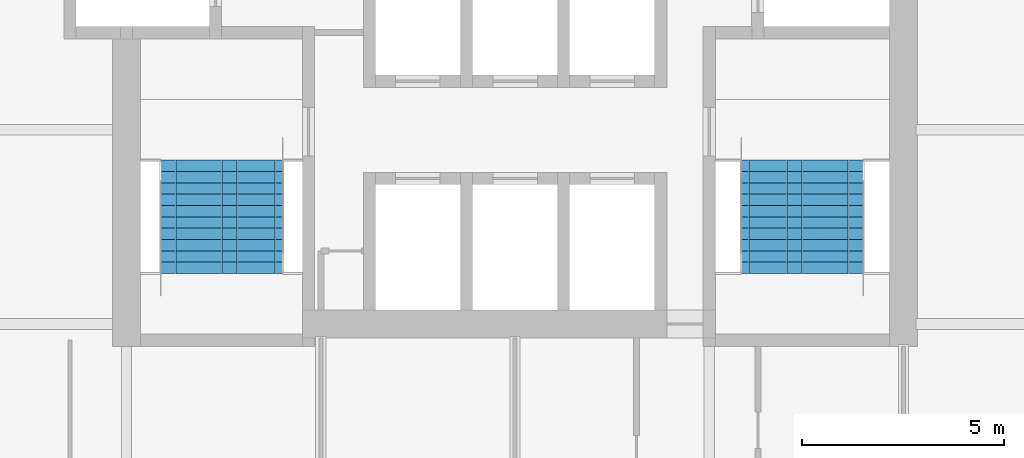
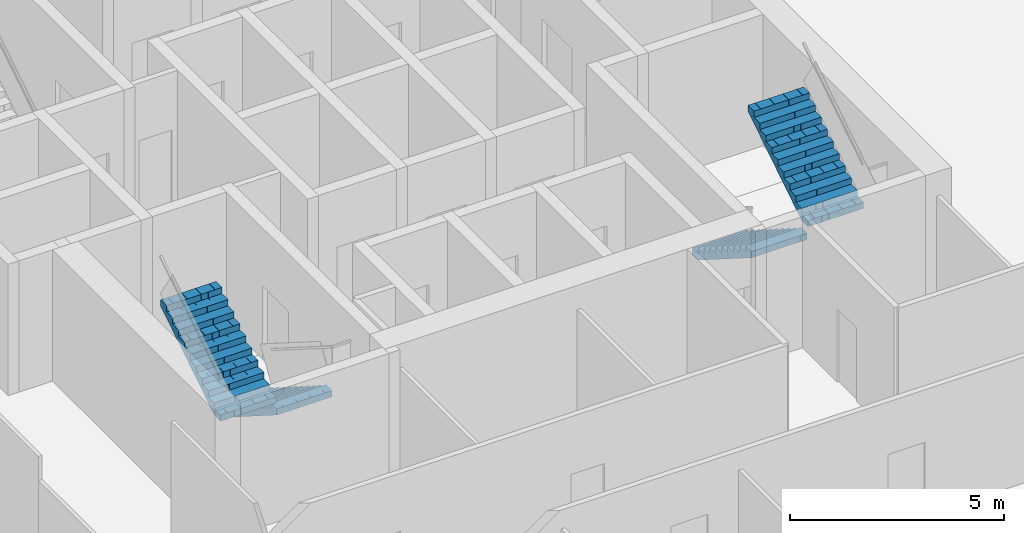
# One storey, part 13 of 16: 4 stair flights, 2 elements without a shape of their own.
"""IFC4 building model written with IfcOpenShell, lengths in metres."""

from ifc_helpers import new_model, si_unit, direction, frame, origin, place, context, subcontext, project, spatial, polyline, outline, extrude, material, type_object, element, aggregate, save


model = new_model("IFC4")

# Units and contexts
model_context = context("Model", 3, precision=1e-05, world=origin(), true_north=direction((0.0, 1.0)))
body_context = subcontext(model_context, "Body", "Model", "MODEL_VIEW")
ifc_project = project(units=[si_unit("LENGTHUNIT", "METRE"), si_unit("AREAUNIT", "SQUARE_METRE"), si_unit("VOLUMEUNIT", "CUBIC_METRE"), si_unit("PLANEANGLEUNIT", "RADIAN"), si_unit("MASSUNIT", "GRAM", prefix="KILO")], contexts=[model_context])

# Site, building, storey
site_placement = place(None, origin())
site = spatial("IfcSite", under=ifc_project, at=site_placement, CompositionType="ELEMENT")
building_placement = place(site_placement, origin())
building = spatial("IfcBuilding", under=site, at=building_placement, Name="Kolab Exchange Tower", CompositionType="ELEMENT")
storey_placement = place(building_placement, frame((0.0, 0.0, 209.0)))
storey = spatial("IfcBuildingStorey", under=building, at=storey_placement, Name="L45", CompositionType="ELEMENT", Elevation=209.0)

# Stair, stair flights
ifc_material = material(Name="Concrete C50/60", Category="concrete")
stair_type_1 = type_object("IfcStairType", Name="STAIR ST3 RISER 177.3", PredefinedType="HALF_TURN_STAIR", material=ifc_material)
stair_1_placement = place(storey_placement, origin())
stair_1 = element("IfcStair", 1, at=stair_1_placement, inside=storey, type_object=stair_type_1, Name="Stair 3", PredefinedType="HALF_TURN_STAIR")
stair_flight_type = type_object("IfcStairFlightType", Name="STAIR FLIGHT 1500 RISER 177.3", PredefinedType="STRAIGHT", material=ifc_material)
stair_flight_1_placement = place(storey_placement, frame((-6.489990234375, -5.550048828125, 0.0), z_axis=(0.0, 0.0, 1.0), x_axis=(0.0, -1.0, 0.0)))
stair_flight_1 = element("IfcStairFlight", 2, at=stair_flight_1_placement, type_object=stair_flight_type, Name="ST3 flight 1", NumberOfRisers=11, NumberOfTreads=10, PredefinedType="STRAIGHT", RiserHeight=0.177272727, TreadLength=0.28, context=body_context, shape_type="SweptSolid", body=[
    extrude(outline(polyline([(0.0, 0.0), (0.0, 0.17724609375), (0.280029296875, 0.17724609375), (0.280029296875, 0.3544921875), (0.56005859375, 0.3544921875), (0.56005859375, 0.53173828125), (0.840087890625, 0.53173828125), (0.840087890625, 0.708984375), (1.1201171875, 0.708984375), (1.1201171875, 0.886474609375), (1.39990234375, 0.886474609375), (1.39990234375, 1.063720703125), (1.679931640625, 1.063720703125), (1.679931640625, 1.240966796875), (1.9599609375, 1.240966796875), (1.9599609375, 1.418212890625), (2.239990234375, 1.418212890625), (2.239990234375, 1.595458984375), (2.52001953125, 1.595458984375), (2.52001953125, 1.772705078125), (2.800048828125, 1.772705078125), (2.800048828125, 1.949951171875), (2.800048828125, 1.59521484375), (0.2802734375, 0.0), (0.0, 0.0)])), frame((0.0, 0.75, 0.0), z_axis=(0.0, -1.0, 0.0), x_axis=(1.0, 0.0, 0.0)), (0.0, 0.0, 1.0), 0.185791015625),
    extrude(outline(polyline([(0.0, 0.0), (0.0, 0.17724609375), (0.280029296875, 0.17724609375), (0.280029296875, 0.3544921875), (0.56005859375, 0.3544921875), (0.56005859375, 0.53173828125), (0.840087890625, 0.53173828125), (0.840087890625, 0.708984375), (1.1201171875, 0.708984375), (1.1201171875, 0.886474609375), (1.39990234375, 0.886474609375), (1.39990234375, 1.063720703125), (1.679931640625, 1.063720703125), (1.679931640625, 1.240966796875), (1.9599609375, 1.240966796875), (1.9599609375, 1.418212890625), (2.239990234375, 1.418212890625), (2.239990234375, 1.595458984375), (2.52001953125, 1.595458984375), (2.52001953125, 1.772705078125), (2.800048828125, 1.772705078125), (2.800048828125, 1.949951171875), (2.800048828125, 1.59521484375), (0.2802734375, 0.0), (0.0, 0.0)])), frame((0.0, 0.562255859375, 0.0), z_axis=(0.0, -1.0, 0.0), x_axis=(1.0, 0.0, 0.0)), (0.0, 0.0, 1.0), 0.185791015625),
    extrude(outline(polyline([(0.0, 0.0), (0.0, 0.17724609375), (0.280029296875, 0.17724609375), (0.280029296875, 0.3544921875), (0.56005859375, 0.3544921875), (0.56005859375, 0.53173828125), (0.840087890625, 0.53173828125), (0.840087890625, 0.708984375), (1.1201171875, 0.708984375), (1.1201171875, 0.886474609375), (1.39990234375, 0.886474609375), (1.39990234375, 1.063720703125), (1.679931640625, 1.063720703125), (1.679931640625, 1.240966796875), (1.9599609375, 1.240966796875), (1.9599609375, 1.418212890625), (2.239990234375, 1.418212890625), (2.239990234375, 1.595458984375), (2.52001953125, 1.595458984375), (2.52001953125, 1.772705078125), (2.800048828125, 1.772705078125), (2.800048828125, 1.949951171875), (2.800048828125, 1.59521484375), (0.2802734375, 0.0), (0.0, 0.0)])), frame((0.0, 0.37451171875, 0.0), z_axis=(0.0, -1.0, 0.0), x_axis=(1.0, 0.0, 0.0)), (0.0, 0.0, 1.0), 0.185791015625),
    extrude(outline(polyline([(0.0, 0.0), (0.0, 0.17724609375), (0.280029296875, 0.17724609375), (0.280029296875, 0.3544921875), (0.56005859375, 0.3544921875), (0.56005859375, 0.53173828125), (0.840087890625, 0.53173828125), (0.840087890625, 0.708984375), (1.1201171875, 0.708984375), (1.1201171875, 0.886474609375), (1.39990234375, 0.886474609375), (1.39990234375, 1.063720703125), (1.679931640625, 1.063720703125), (1.679931640625, 1.240966796875), (1.9599609375, 1.240966796875), (1.9599609375, 1.418212890625), (2.239990234375, 1.418212890625), (2.239990234375, 1.595458984375), (2.52001953125, 1.595458984375), (2.52001953125, 1.772705078125), (2.800048828125, 1.772705078125), (2.800048828125, 1.949951171875), (2.800048828125, 1.59521484375), (0.2802734375, 0.0), (0.0, 0.0)])), frame((0.0, 0.186767578125, 0.0), z_axis=(0.0, -1.0, 0.0), x_axis=(1.0, 0.0, 0.0)), (0.0, 0.0, 1.0), 0.185791015625),
    extrude(outline(polyline([(0.0, 0.0), (0.0, 0.17724609375), (0.280029296875, 0.17724609375), (0.280029296875, 0.3544921875), (0.56005859375, 0.3544921875), (0.56005859375, 0.53173828125), (0.840087890625, 0.53173828125), (0.840087890625, 0.708984375), (1.1201171875, 0.708984375), (1.1201171875, 0.886474609375), (1.39990234375, 0.886474609375), (1.39990234375, 1.063720703125), (1.679931640625, 1.063720703125), (1.679931640625, 1.240966796875), (1.9599609375, 1.240966796875), (1.9599609375, 1.418212890625), (2.239990234375, 1.418212890625), (2.239990234375, 1.595458984375), (2.52001953125, 1.595458984375), (2.52001953125, 1.772705078125), (2.800048828125, 1.772705078125), (2.800048828125, 1.949951171875), (2.800048828125, 1.59521484375), (0.2802734375, 0.0), (0.0, 0.0)])), frame((0.0, -0.0009765625, 0.0), z_axis=(0.0, -1.0, 0.0), x_axis=(1.0, 0.0, 0.0)), (0.0, 0.0, 1.0), 0.185791015625),
    extrude(outline(polyline([(0.0, 0.0), (0.0, 0.17724609375), (0.280029296875, 0.17724609375), (0.280029296875, 0.3544921875), (0.56005859375, 0.3544921875), (0.56005859375, 0.53173828125), (0.840087890625, 0.53173828125), (0.840087890625, 0.708984375), (1.1201171875, 0.708984375), (1.1201171875, 0.886474609375), (1.39990234375, 0.886474609375), (1.39990234375, 1.063720703125), (1.679931640625, 1.063720703125), (1.679931640625, 1.240966796875), (1.9599609375, 1.240966796875), (1.9599609375, 1.418212890625), (2.239990234375, 1.418212890625), (2.239990234375, 1.595458984375), (2.52001953125, 1.595458984375), (2.52001953125, 1.772705078125), (2.800048828125, 1.772705078125), (2.800048828125, 1.949951171875), (2.800048828125, 1.59521484375), (0.2802734375, 0.0), (0.0, 0.0)])), frame((0.0, -0.188720703125, 0.0), z_axis=(0.0, -1.0, 0.0), x_axis=(1.0, 0.0, 0.0)), (0.0, 0.0, 1.0), 0.185791015625),
    extrude(outline(polyline([(0.0, 0.0), (0.0, 0.17724609375), (0.280029296875, 0.17724609375), (0.280029296875, 0.3544921875), (0.56005859375, 0.3544921875), (0.56005859375, 0.53173828125), (0.840087890625, 0.53173828125), (0.840087890625, 0.708984375), (1.1201171875, 0.708984375), (1.1201171875, 0.886474609375), (1.39990234375, 0.886474609375), (1.39990234375, 1.063720703125), (1.679931640625, 1.063720703125), (1.679931640625, 1.240966796875), (1.9599609375, 1.240966796875), (1.9599609375, 1.418212890625), (2.239990234375, 1.418212890625), (2.239990234375, 1.595458984375), (2.52001953125, 1.595458984375), (2.52001953125, 1.772705078125), (2.800048828125, 1.772705078125), (2.800048828125, 1.949951171875), (2.800048828125, 1.59521484375), (0.2802734375, 0.0), (0.0, 0.0)])), frame((0.0, -0.37646484375, 0.0), z_axis=(0.0, -1.0, 0.0), x_axis=(1.0, 0.0, 0.0)), (0.0, 0.0, 1.0), 0.185791015625),
    extrude(outline(polyline([(0.0, 0.0), (0.0, 0.17724609375), (0.280029296875, 0.17724609375), (0.280029296875, 0.3544921875), (0.56005859375, 0.3544921875), (0.56005859375, 0.53173828125), (0.840087890625, 0.53173828125), (0.840087890625, 0.708984375), (1.1201171875, 0.708984375), (1.1201171875, 0.886474609375), (1.39990234375, 0.886474609375), (1.39990234375, 1.063720703125), (1.679931640625, 1.063720703125), (1.679931640625, 1.240966796875), (1.9599609375, 1.240966796875), (1.9599609375, 1.418212890625), (2.239990234375, 1.418212890625), (2.239990234375, 1.595458984375), (2.52001953125, 1.595458984375), (2.52001953125, 1.772705078125), (2.800048828125, 1.772705078125), (2.800048828125, 1.949951171875), (2.800048828125, 1.59521484375), (0.2802734375, 0.0), (0.0, 0.0)])), frame((0.0, -0.564208984375, 0.0), z_axis=(0.0, -1.0, 0.0), x_axis=(1.0, 0.0, 0.0)), (0.0, 0.0, 1.0), 0.185791015625),
])
stair_flight_2_placement = place(storey_placement, frame((-8.010009765625, -8.35009765625, 1.949951171875), z_axis=(0.0, 0.0, 1.0), x_axis=(0.0, 1.0, 0.0)))
stair_flight_2 = element("IfcStairFlight", 3, at=stair_flight_2_placement, type_object=stair_flight_type, Name="ST3 flight 2", NumberOfRisers=11, NumberOfTreads=10, PredefinedType="STRAIGHT", RiserHeight=0.177272727, TreadLength=0.28, context=body_context, shape_type="SweptSolid", body=[
    extrude(outline(polyline([(0.0, 0.0), (0.0, 0.17724609375), (0.280029296875, 0.17724609375), (0.280029296875, 0.3544921875), (0.56005859375, 0.3544921875), (0.56005859375, 0.53173828125), (0.840087890625, 0.53173828125), (0.840087890625, 0.708984375), (1.1201171875, 0.708984375), (1.1201171875, 0.886474609375), (1.39990234375, 0.886474609375), (1.39990234375, 1.063720703125), (1.679931640625, 1.063720703125), (1.679931640625, 1.240966796875), (1.9599609375, 1.240966796875), (1.9599609375, 1.418212890625), (2.239990234375, 1.418212890625), (2.239990234375, 1.595458984375), (2.52001953125, 1.595458984375), (2.52001953125, 1.772705078125), (2.800048828125, 1.772705078125), (2.800048828125, 1.949951171875), (2.800048828125, 1.59521484375), (0.2802734375, 0.0), (0.0, 0.0)])), frame((0.0, 0.75, 0.0), z_axis=(0.0, -1.0, 0.0), x_axis=(1.0, 0.0, 0.0)), (0.0, 0.0, 1.0), 0.185791015625),
    extrude(outline(polyline([(0.0, 0.0), (0.0, 0.17724609375), (0.280029296875, 0.17724609375), (0.280029296875, 0.3544921875), (0.56005859375, 0.3544921875), (0.56005859375, 0.53173828125), (0.840087890625, 0.53173828125), (0.840087890625, 0.708984375), (1.1201171875, 0.708984375), (1.1201171875, 0.886474609375), (1.39990234375, 0.886474609375), (1.39990234375, 1.063720703125), (1.679931640625, 1.063720703125), (1.679931640625, 1.240966796875), (1.9599609375, 1.240966796875), (1.9599609375, 1.418212890625), (2.239990234375, 1.418212890625), (2.239990234375, 1.595458984375), (2.52001953125, 1.595458984375), (2.52001953125, 1.772705078125), (2.800048828125, 1.772705078125), (2.800048828125, 1.949951171875), (2.800048828125, 1.59521484375), (0.2802734375, 0.0), (0.0, 0.0)])), frame((0.0, 0.562255859375, 0.0), z_axis=(0.0, -1.0, 0.0), x_axis=(1.0, 0.0, 0.0)), (0.0, 0.0, 1.0), 0.185791015625),
    extrude(outline(polyline([(0.0, 0.0), (0.0, 0.17724609375), (0.280029296875, 0.17724609375), (0.280029296875, 0.3544921875), (0.56005859375, 0.3544921875), (0.56005859375, 0.53173828125), (0.840087890625, 0.53173828125), (0.840087890625, 0.708984375), (1.1201171875, 0.708984375), (1.1201171875, 0.886474609375), (1.39990234375, 0.886474609375), (1.39990234375, 1.063720703125), (1.679931640625, 1.063720703125), (1.679931640625, 1.240966796875), (1.9599609375, 1.240966796875), (1.9599609375, 1.418212890625), (2.239990234375, 1.418212890625), (2.239990234375, 1.595458984375), (2.52001953125, 1.595458984375), (2.52001953125, 1.772705078125), (2.800048828125, 1.772705078125), (2.800048828125, 1.949951171875), (2.800048828125, 1.59521484375), (0.2802734375, 0.0), (0.0, 0.0)])), frame((0.0, 0.37451171875, 0.0), z_axis=(0.0, -1.0, 0.0), x_axis=(1.0, 0.0, 0.0)), (0.0, 0.0, 1.0), 0.185791015625),
    extrude(outline(polyline([(0.0, 0.0), (0.0, 0.17724609375), (0.280029296875, 0.17724609375), (0.280029296875, 0.3544921875), (0.56005859375, 0.3544921875), (0.56005859375, 0.53173828125), (0.840087890625, 0.53173828125), (0.840087890625, 0.708984375), (1.1201171875, 0.708984375), (1.1201171875, 0.886474609375), (1.39990234375, 0.886474609375), (1.39990234375, 1.063720703125), (1.679931640625, 1.063720703125), (1.679931640625, 1.240966796875), (1.9599609375, 1.240966796875), (1.9599609375, 1.418212890625), (2.239990234375, 1.418212890625), (2.239990234375, 1.595458984375), (2.52001953125, 1.595458984375), (2.52001953125, 1.772705078125), (2.800048828125, 1.772705078125), (2.800048828125, 1.949951171875), (2.800048828125, 1.59521484375), (0.2802734375, 0.0), (0.0, 0.0)])), frame((0.0, 0.186767578125, 0.0), z_axis=(0.0, -1.0, 0.0), x_axis=(1.0, 0.0, 0.0)), (0.0, 0.0, 1.0), 0.185791015625),
    extrude(outline(polyline([(0.0, 0.0), (0.0, 0.17724609375), (0.280029296875, 0.17724609375), (0.280029296875, 0.3544921875), (0.56005859375, 0.3544921875), (0.56005859375, 0.53173828125), (0.840087890625, 0.53173828125), (0.840087890625, 0.708984375), (1.1201171875, 0.708984375), (1.1201171875, 0.886474609375), (1.39990234375, 0.886474609375), (1.39990234375, 1.063720703125), (1.679931640625, 1.063720703125), (1.679931640625, 1.240966796875), (1.9599609375, 1.240966796875), (1.9599609375, 1.418212890625), (2.239990234375, 1.418212890625), (2.239990234375, 1.595458984375), (2.52001953125, 1.595458984375), (2.52001953125, 1.772705078125), (2.800048828125, 1.772705078125), (2.800048828125, 1.949951171875), (2.800048828125, 1.59521484375), (0.2802734375, 0.0), (0.0, 0.0)])), frame((0.0, -0.0009765625, 0.0), z_axis=(0.0, -1.0, 0.0), x_axis=(1.0, 0.0, 0.0)), (0.0, 0.0, 1.0), 0.185791015625),
    extrude(outline(polyline([(0.0, 0.0), (0.0, 0.17724609375), (0.280029296875, 0.17724609375), (0.280029296875, 0.3544921875), (0.56005859375, 0.3544921875), (0.56005859375, 0.53173828125), (0.840087890625, 0.53173828125), (0.840087890625, 0.708984375), (1.1201171875, 0.708984375), (1.1201171875, 0.886474609375), (1.39990234375, 0.886474609375), (1.39990234375, 1.063720703125), (1.679931640625, 1.063720703125), (1.679931640625, 1.240966796875), (1.9599609375, 1.240966796875), (1.9599609375, 1.418212890625), (2.239990234375, 1.418212890625), (2.239990234375, 1.595458984375), (2.52001953125, 1.595458984375), (2.52001953125, 1.772705078125), (2.800048828125, 1.772705078125), (2.800048828125, 1.949951171875), (2.800048828125, 1.59521484375), (0.2802734375, 0.0), (0.0, 0.0)])), frame((0.0, -0.188720703125, 0.0), z_axis=(0.0, -1.0, 0.0), x_axis=(1.0, 0.0, 0.0)), (0.0, 0.0, 1.0), 0.185791015625),
    extrude(outline(polyline([(0.0, 0.0), (0.0, 0.17724609375), (0.280029296875, 0.17724609375), (0.280029296875, 0.3544921875), (0.56005859375, 0.3544921875), (0.56005859375, 0.53173828125), (0.840087890625, 0.53173828125), (0.840087890625, 0.708984375), (1.1201171875, 0.708984375), (1.1201171875, 0.886474609375), (1.39990234375, 0.886474609375), (1.39990234375, 1.063720703125), (1.679931640625, 1.063720703125), (1.679931640625, 1.240966796875), (1.9599609375, 1.240966796875), (1.9599609375, 1.418212890625), (2.239990234375, 1.418212890625), (2.239990234375, 1.595458984375), (2.52001953125, 1.595458984375), (2.52001953125, 1.772705078125), (2.800048828125, 1.772705078125), (2.800048828125, 1.949951171875), (2.800048828125, 1.59521484375), (0.2802734375, 0.0), (0.0, 0.0)])), frame((0.0, -0.37646484375, 0.0), z_axis=(0.0, -1.0, 0.0), x_axis=(1.0, 0.0, 0.0)), (0.0, 0.0, 1.0), 0.185791015625),
    extrude(outline(polyline([(0.0, 0.0), (0.0, 0.17724609375), (0.280029296875, 0.17724609375), (0.280029296875, 0.3544921875), (0.56005859375, 0.3544921875), (0.56005859375, 0.53173828125), (0.840087890625, 0.53173828125), (0.840087890625, 0.708984375), (1.1201171875, 0.708984375), (1.1201171875, 0.886474609375), (1.39990234375, 0.886474609375), (1.39990234375, 1.063720703125), (1.679931640625, 1.063720703125), (1.679931640625, 1.240966796875), (1.9599609375, 1.240966796875), (1.9599609375, 1.418212890625), (2.239990234375, 1.418212890625), (2.239990234375, 1.595458984375), (2.52001953125, 1.595458984375), (2.52001953125, 1.772705078125), (2.800048828125, 1.772705078125), (2.800048828125, 1.949951171875), (2.800048828125, 1.59521484375), (0.2802734375, 0.0), (0.0, 0.0)])), frame((0.0, -0.564208984375, 0.0), z_axis=(0.0, -1.0, 0.0), x_axis=(1.0, 0.0, 0.0)), (0.0, 0.0, 1.0), 0.185791015625),
])
aggregate(stair_1, [stair_flight_1, stair_flight_2])

stair_type_2 = type_object("IfcStairType", Name="STAIR ST2 RISER 177.3", PredefinedType="HALF_TURN_STAIR", material=ifc_material)
stair_2_placement = place(storey_placement, origin())
stair_2 = element("IfcStair", 4, at=stair_2_placement, inside=storey, type_object=stair_type_2, Name="Stair 2", PredefinedType="HALF_TURN_STAIR")
stair_flight_3_placement = place(storey_placement, frame((6.340087890625, -5.550048828125, 0.0), z_axis=(0.0, 0.0, 1.0), x_axis=(0.0, -1.0, 0.0)))
stair_flight_3 = element("IfcStairFlight", 5, at=stair_flight_3_placement, type_object=stair_flight_type, Name="ST2 flight 1", NumberOfRisers=11, NumberOfTreads=10, PredefinedType="STRAIGHT", RiserHeight=0.177272727, TreadLength=0.28, context=body_context, shape_type="SweptSolid", body=[
    extrude(outline(polyline([(0.0, 0.0), (0.0, 0.17724609375), (0.280029296875, 0.17724609375), (0.280029296875, 0.3544921875), (0.56005859375, 0.3544921875), (0.56005859375, 0.53173828125), (0.840087890625, 0.53173828125), (0.840087890625, 0.708984375), (1.1201171875, 0.708984375), (1.1201171875, 0.886474609375), (1.39990234375, 0.886474609375), (1.39990234375, 1.063720703125), (1.679931640625, 1.063720703125), (1.679931640625, 1.240966796875), (1.9599609375, 1.240966796875), (1.9599609375, 1.418212890625), (2.239990234375, 1.418212890625), (2.239990234375, 1.595458984375), (2.52001953125, 1.595458984375), (2.52001953125, 1.772705078125), (2.800048828125, 1.772705078125), (2.800048828125, 1.949951171875), (2.800048828125, 1.59521484375), (0.2802734375, 0.0), (0.0, 0.0)])), frame((0.0, 0.75, 0.0), z_axis=(0.0, -1.0, 0.0), x_axis=(1.0, 0.0, 0.0)), (0.0, 0.0, 1.0), 0.185791015625),
    extrude(outline(polyline([(0.0, 0.0), (0.0, 0.17724609375), (0.280029296875, 0.17724609375), (0.280029296875, 0.3544921875), (0.56005859375, 0.3544921875), (0.56005859375, 0.53173828125), (0.840087890625, 0.53173828125), (0.840087890625, 0.708984375), (1.1201171875, 0.708984375), (1.1201171875, 0.886474609375), (1.39990234375, 0.886474609375), (1.39990234375, 1.063720703125), (1.679931640625, 1.063720703125), (1.679931640625, 1.240966796875), (1.9599609375, 1.240966796875), (1.9599609375, 1.418212890625), (2.239990234375, 1.418212890625), (2.239990234375, 1.595458984375), (2.52001953125, 1.595458984375), (2.52001953125, 1.772705078125), (2.800048828125, 1.772705078125), (2.800048828125, 1.949951171875), (2.800048828125, 1.59521484375), (0.2802734375, 0.0), (0.0, 0.0)])), frame((0.0, 0.562255859375, 0.0), z_axis=(0.0, -1.0, 0.0), x_axis=(1.0, 0.0, 0.0)), (0.0, 0.0, 1.0), 0.185791015625),
    extrude(outline(polyline([(0.0, 0.0), (0.0, 0.17724609375), (0.280029296875, 0.17724609375), (0.280029296875, 0.3544921875), (0.56005859375, 0.3544921875), (0.56005859375, 0.53173828125), (0.840087890625, 0.53173828125), (0.840087890625, 0.708984375), (1.1201171875, 0.708984375), (1.1201171875, 0.886474609375), (1.39990234375, 0.886474609375), (1.39990234375, 1.063720703125), (1.679931640625, 1.063720703125), (1.679931640625, 1.240966796875), (1.9599609375, 1.240966796875), (1.9599609375, 1.418212890625), (2.239990234375, 1.418212890625), (2.239990234375, 1.595458984375), (2.52001953125, 1.595458984375), (2.52001953125, 1.772705078125), (2.800048828125, 1.772705078125), (2.800048828125, 1.949951171875), (2.800048828125, 1.59521484375), (0.2802734375, 0.0), (0.0, 0.0)])), frame((0.0, 0.37451171875, 0.0), z_axis=(0.0, -1.0, 0.0), x_axis=(1.0, 0.0, 0.0)), (0.0, 0.0, 1.0), 0.185791015625),
    extrude(outline(polyline([(0.0, 0.0), (0.0, 0.17724609375), (0.280029296875, 0.17724609375), (0.280029296875, 0.3544921875), (0.56005859375, 0.3544921875), (0.56005859375, 0.53173828125), (0.840087890625, 0.53173828125), (0.840087890625, 0.708984375), (1.1201171875, 0.708984375), (1.1201171875, 0.886474609375), (1.39990234375, 0.886474609375), (1.39990234375, 1.063720703125), (1.679931640625, 1.063720703125), (1.679931640625, 1.240966796875), (1.9599609375, 1.240966796875), (1.9599609375, 1.418212890625), (2.239990234375, 1.418212890625), (2.239990234375, 1.595458984375), (2.52001953125, 1.595458984375), (2.52001953125, 1.772705078125), (2.800048828125, 1.772705078125), (2.800048828125, 1.949951171875), (2.800048828125, 1.59521484375), (0.2802734375, 0.0), (0.0, 0.0)])), frame((0.0, 0.186767578125, 0.0), z_axis=(0.0, -1.0, 0.0), x_axis=(1.0, 0.0, 0.0)), (0.0, 0.0, 1.0), 0.185791015625),
    extrude(outline(polyline([(0.0, 0.0), (0.0, 0.17724609375), (0.280029296875, 0.17724609375), (0.280029296875, 0.3544921875), (0.56005859375, 0.3544921875), (0.56005859375, 0.53173828125), (0.840087890625, 0.53173828125), (0.840087890625, 0.708984375), (1.1201171875, 0.708984375), (1.1201171875, 0.886474609375), (1.39990234375, 0.886474609375), (1.39990234375, 1.063720703125), (1.679931640625, 1.063720703125), (1.679931640625, 1.240966796875), (1.9599609375, 1.240966796875), (1.9599609375, 1.418212890625), (2.239990234375, 1.418212890625), (2.239990234375, 1.595458984375), (2.52001953125, 1.595458984375), (2.52001953125, 1.772705078125), (2.800048828125, 1.772705078125), (2.800048828125, 1.949951171875), (2.800048828125, 1.59521484375), (0.2802734375, 0.0), (0.0, 0.0)])), frame((0.0, -0.0009765625, 0.0), z_axis=(0.0, -1.0, 0.0), x_axis=(1.0, 0.0, 0.0)), (0.0, 0.0, 1.0), 0.185791015625),
    extrude(outline(polyline([(0.0, 0.0), (0.0, 0.17724609375), (0.280029296875, 0.17724609375), (0.280029296875, 0.3544921875), (0.56005859375, 0.3544921875), (0.56005859375, 0.53173828125), (0.840087890625, 0.53173828125), (0.840087890625, 0.708984375), (1.1201171875, 0.708984375), (1.1201171875, 0.886474609375), (1.39990234375, 0.886474609375), (1.39990234375, 1.063720703125), (1.679931640625, 1.063720703125), (1.679931640625, 1.240966796875), (1.9599609375, 1.240966796875), (1.9599609375, 1.418212890625), (2.239990234375, 1.418212890625), (2.239990234375, 1.595458984375), (2.52001953125, 1.595458984375), (2.52001953125, 1.772705078125), (2.800048828125, 1.772705078125), (2.800048828125, 1.949951171875), (2.800048828125, 1.59521484375), (0.2802734375, 0.0), (0.0, 0.0)])), frame((0.0, -0.188720703125, 0.0), z_axis=(0.0, -1.0, 0.0), x_axis=(1.0, 0.0, 0.0)), (0.0, 0.0, 1.0), 0.185791015625),
    extrude(outline(polyline([(0.0, 0.0), (0.0, 0.17724609375), (0.280029296875, 0.17724609375), (0.280029296875, 0.3544921875), (0.56005859375, 0.3544921875), (0.56005859375, 0.53173828125), (0.840087890625, 0.53173828125), (0.840087890625, 0.708984375), (1.1201171875, 0.708984375), (1.1201171875, 0.886474609375), (1.39990234375, 0.886474609375), (1.39990234375, 1.063720703125), (1.679931640625, 1.063720703125), (1.679931640625, 1.240966796875), (1.9599609375, 1.240966796875), (1.9599609375, 1.418212890625), (2.239990234375, 1.418212890625), (2.239990234375, 1.595458984375), (2.52001953125, 1.595458984375), (2.52001953125, 1.772705078125), (2.800048828125, 1.772705078125), (2.800048828125, 1.949951171875), (2.800048828125, 1.59521484375), (0.2802734375, 0.0), (0.0, 0.0)])), frame((0.0, -0.37646484375, 0.0), z_axis=(0.0, -1.0, 0.0), x_axis=(1.0, 0.0, 0.0)), (0.0, 0.0, 1.0), 0.185791015625),
    extrude(outline(polyline([(0.0, 0.0), (0.0, 0.17724609375), (0.280029296875, 0.17724609375), (0.280029296875, 0.3544921875), (0.56005859375, 0.3544921875), (0.56005859375, 0.53173828125), (0.840087890625, 0.53173828125), (0.840087890625, 0.708984375), (1.1201171875, 0.708984375), (1.1201171875, 0.886474609375), (1.39990234375, 0.886474609375), (1.39990234375, 1.063720703125), (1.679931640625, 1.063720703125), (1.679931640625, 1.240966796875), (1.9599609375, 1.240966796875), (1.9599609375, 1.418212890625), (2.239990234375, 1.418212890625), (2.239990234375, 1.595458984375), (2.52001953125, 1.595458984375), (2.52001953125, 1.772705078125), (2.800048828125, 1.772705078125), (2.800048828125, 1.949951171875), (2.800048828125, 1.59521484375), (0.2802734375, 0.0), (0.0, 0.0)])), frame((0.0, -0.564208984375, 0.0), z_axis=(0.0, -1.0, 0.0), x_axis=(1.0, 0.0, 0.0)), (0.0, 0.0, 1.0), 0.185791015625),
])
stair_flight_4_placement = place(storey_placement, frame((7.860107421875, -8.35009765625, 1.949951171875), z_axis=(0.0, 0.0, 1.0), x_axis=(0.0, 1.0, 0.0)))
stair_flight_4 = element("IfcStairFlight", 6, at=stair_flight_4_placement, type_object=stair_flight_type, Name="ST2 flight 2", NumberOfRisers=11, NumberOfTreads=10, PredefinedType="STRAIGHT", RiserHeight=0.177272727, TreadLength=0.28, context=body_context, shape_type="SweptSolid", body=[
    extrude(outline(polyline([(0.0, 0.0), (0.0, 0.17724609375), (0.280029296875, 0.17724609375), (0.280029296875, 0.3544921875), (0.56005859375, 0.3544921875), (0.56005859375, 0.53173828125), (0.840087890625, 0.53173828125), (0.840087890625, 0.708984375), (1.1201171875, 0.708984375), (1.1201171875, 0.886474609375), (1.39990234375, 0.886474609375), (1.39990234375, 1.063720703125), (1.679931640625, 1.063720703125), (1.679931640625, 1.240966796875), (1.9599609375, 1.240966796875), (1.9599609375, 1.418212890625), (2.239990234375, 1.418212890625), (2.239990234375, 1.595458984375), (2.52001953125, 1.595458984375), (2.52001953125, 1.772705078125), (2.800048828125, 1.772705078125), (2.800048828125, 1.949951171875), (2.800048828125, 1.59521484375), (0.2802734375, 0.0), (0.0, 0.0)])), frame((0.0, 0.75, 0.0), z_axis=(0.0, -1.0, 0.0), x_axis=(1.0, 0.0, 0.0)), (0.0, 0.0, 1.0), 0.185791015625),
    extrude(outline(polyline([(0.0, 0.0), (0.0, 0.17724609375), (0.280029296875, 0.17724609375), (0.280029296875, 0.3544921875), (0.56005859375, 0.3544921875), (0.56005859375, 0.53173828125), (0.840087890625, 0.53173828125), (0.840087890625, 0.708984375), (1.1201171875, 0.708984375), (1.1201171875, 0.886474609375), (1.39990234375, 0.886474609375), (1.39990234375, 1.063720703125), (1.679931640625, 1.063720703125), (1.679931640625, 1.240966796875), (1.9599609375, 1.240966796875), (1.9599609375, 1.418212890625), (2.239990234375, 1.418212890625), (2.239990234375, 1.595458984375), (2.52001953125, 1.595458984375), (2.52001953125, 1.772705078125), (2.800048828125, 1.772705078125), (2.800048828125, 1.949951171875), (2.800048828125, 1.59521484375), (0.2802734375, 0.0), (0.0, 0.0)])), frame((0.0, 0.562255859375, 0.0), z_axis=(0.0, -1.0, 0.0), x_axis=(1.0, 0.0, 0.0)), (0.0, 0.0, 1.0), 0.185791015625),
    extrude(outline(polyline([(0.0, 0.0), (0.0, 0.17724609375), (0.280029296875, 0.17724609375), (0.280029296875, 0.3544921875), (0.56005859375, 0.3544921875), (0.56005859375, 0.53173828125), (0.840087890625, 0.53173828125), (0.840087890625, 0.708984375), (1.1201171875, 0.708984375), (1.1201171875, 0.886474609375), (1.39990234375, 0.886474609375), (1.39990234375, 1.063720703125), (1.679931640625, 1.063720703125), (1.679931640625, 1.240966796875), (1.9599609375, 1.240966796875), (1.9599609375, 1.418212890625), (2.239990234375, 1.418212890625), (2.239990234375, 1.595458984375), (2.52001953125, 1.595458984375), (2.52001953125, 1.772705078125), (2.800048828125, 1.772705078125), (2.800048828125, 1.949951171875), (2.800048828125, 1.59521484375), (0.2802734375, 0.0), (0.0, 0.0)])), frame((0.0, 0.37451171875, 0.0), z_axis=(0.0, -1.0, 0.0), x_axis=(1.0, 0.0, 0.0)), (0.0, 0.0, 1.0), 0.185791015625),
    extrude(outline(polyline([(0.0, 0.0), (0.0, 0.17724609375), (0.280029296875, 0.17724609375), (0.280029296875, 0.3544921875), (0.56005859375, 0.3544921875), (0.56005859375, 0.53173828125), (0.840087890625, 0.53173828125), (0.840087890625, 0.708984375), (1.1201171875, 0.708984375), (1.1201171875, 0.886474609375), (1.39990234375, 0.886474609375), (1.39990234375, 1.063720703125), (1.679931640625, 1.063720703125), (1.679931640625, 1.240966796875), (1.9599609375, 1.240966796875), (1.9599609375, 1.418212890625), (2.239990234375, 1.418212890625), (2.239990234375, 1.595458984375), (2.52001953125, 1.595458984375), (2.52001953125, 1.772705078125), (2.800048828125, 1.772705078125), (2.800048828125, 1.949951171875), (2.800048828125, 1.59521484375), (0.2802734375, 0.0), (0.0, 0.0)])), frame((0.0, 0.186767578125, 0.0), z_axis=(0.0, -1.0, 0.0), x_axis=(1.0, 0.0, 0.0)), (0.0, 0.0, 1.0), 0.185791015625),
    extrude(outline(polyline([(0.0, 0.0), (0.0, 0.17724609375), (0.280029296875, 0.17724609375), (0.280029296875, 0.3544921875), (0.56005859375, 0.3544921875), (0.56005859375, 0.53173828125), (0.840087890625, 0.53173828125), (0.840087890625, 0.708984375), (1.1201171875, 0.708984375), (1.1201171875, 0.886474609375), (1.39990234375, 0.886474609375), (1.39990234375, 1.063720703125), (1.679931640625, 1.063720703125), (1.679931640625, 1.240966796875), (1.9599609375, 1.240966796875), (1.9599609375, 1.418212890625), (2.239990234375, 1.418212890625), (2.239990234375, 1.595458984375), (2.52001953125, 1.595458984375), (2.52001953125, 1.772705078125), (2.800048828125, 1.772705078125), (2.800048828125, 1.949951171875), (2.800048828125, 1.59521484375), (0.2802734375, 0.0), (0.0, 0.0)])), frame((0.0, -0.0009765625, 0.0), z_axis=(0.0, -1.0, 0.0), x_axis=(1.0, 0.0, 0.0)), (0.0, 0.0, 1.0), 0.185791015625),
    extrude(outline(polyline([(0.0, 0.0), (0.0, 0.17724609375), (0.280029296875, 0.17724609375), (0.280029296875, 0.3544921875), (0.56005859375, 0.3544921875), (0.56005859375, 0.53173828125), (0.840087890625, 0.53173828125), (0.840087890625, 0.708984375), (1.1201171875, 0.708984375), (1.1201171875, 0.886474609375), (1.39990234375, 0.886474609375), (1.39990234375, 1.063720703125), (1.679931640625, 1.063720703125), (1.679931640625, 1.240966796875), (1.9599609375, 1.240966796875), (1.9599609375, 1.418212890625), (2.239990234375, 1.418212890625), (2.239990234375, 1.595458984375), (2.52001953125, 1.595458984375), (2.52001953125, 1.772705078125), (2.800048828125, 1.772705078125), (2.800048828125, 1.949951171875), (2.800048828125, 1.59521484375), (0.2802734375, 0.0), (0.0, 0.0)])), frame((0.0, -0.188720703125, 0.0), z_axis=(0.0, -1.0, 0.0), x_axis=(1.0, 0.0, 0.0)), (0.0, 0.0, 1.0), 0.185791015625),
    extrude(outline(polyline([(0.0, 0.0), (0.0, 0.17724609375), (0.280029296875, 0.17724609375), (0.280029296875, 0.3544921875), (0.56005859375, 0.3544921875), (0.56005859375, 0.53173828125), (0.840087890625, 0.53173828125), (0.840087890625, 0.708984375), (1.1201171875, 0.708984375), (1.1201171875, 0.886474609375), (1.39990234375, 0.886474609375), (1.39990234375, 1.063720703125), (1.679931640625, 1.063720703125), (1.679931640625, 1.240966796875), (1.9599609375, 1.240966796875), (1.9599609375, 1.418212890625), (2.239990234375, 1.418212890625), (2.239990234375, 1.595458984375), (2.52001953125, 1.595458984375), (2.52001953125, 1.772705078125), (2.800048828125, 1.772705078125), (2.800048828125, 1.949951171875), (2.800048828125, 1.59521484375), (0.2802734375, 0.0), (0.0, 0.0)])), frame((0.0, -0.37646484375, 0.0), z_axis=(0.0, -1.0, 0.0), x_axis=(1.0, 0.0, 0.0)), (0.0, 0.0, 1.0), 0.185791015625),
    extrude(outline(polyline([(0.0, 0.0), (0.0, 0.17724609375), (0.280029296875, 0.17724609375), (0.280029296875, 0.3544921875), (0.56005859375, 0.3544921875), (0.56005859375, 0.53173828125), (0.840087890625, 0.53173828125), (0.840087890625, 0.708984375), (1.1201171875, 0.708984375), (1.1201171875, 0.886474609375), (1.39990234375, 0.886474609375), (1.39990234375, 1.063720703125), (1.679931640625, 1.063720703125), (1.679931640625, 1.240966796875), (1.9599609375, 1.240966796875), (1.9599609375, 1.418212890625), (2.239990234375, 1.418212890625), (2.239990234375, 1.595458984375), (2.52001953125, 1.595458984375), (2.52001953125, 1.772705078125), (2.800048828125, 1.772705078125), (2.800048828125, 1.949951171875), (2.800048828125, 1.59521484375), (0.2802734375, 0.0), (0.0, 0.0)])), frame((0.0, -0.564208984375, 0.0), z_axis=(0.0, -1.0, 0.0), x_axis=(1.0, 0.0, 0.0)), (0.0, 0.0, 1.0), 0.185791015625),
])
aggregate(stair_2, [stair_flight_3, stair_flight_4])

save(model, "model.ifc")
